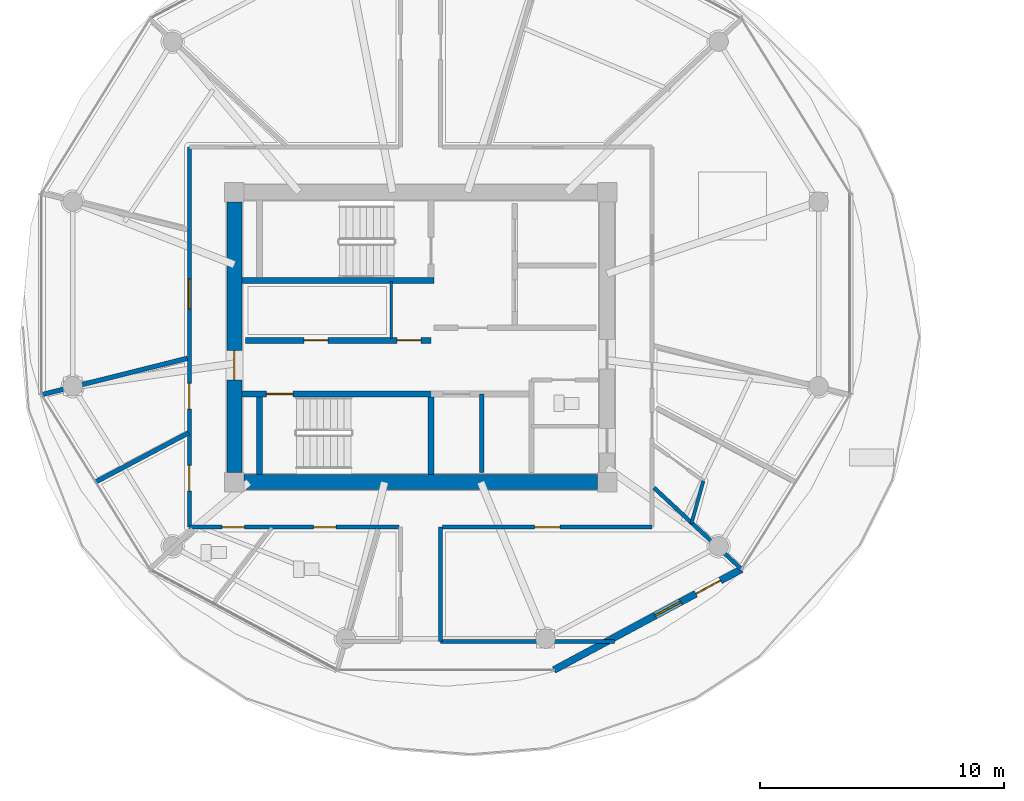
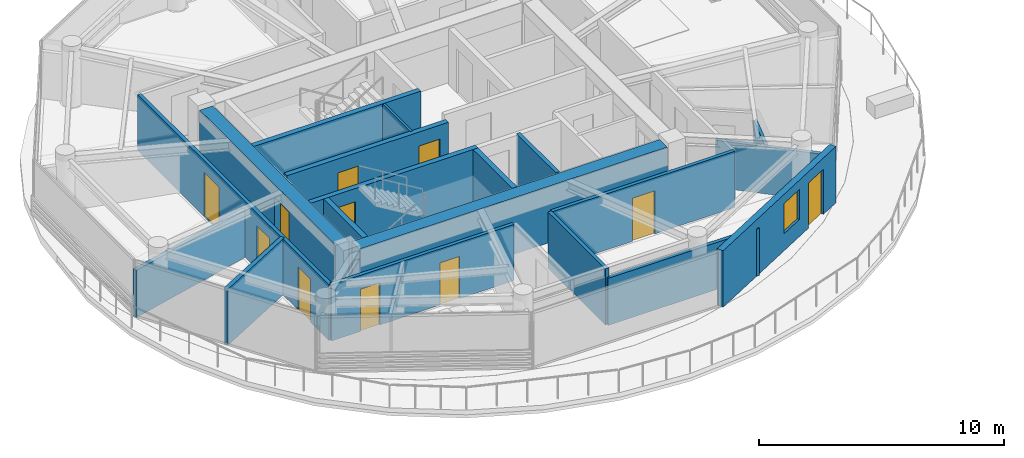
# One storey, part 13 of 28: 19 walls, 11 doors, 1 window, 12 openings.
"""IFC4 building model written with IfcOpenShell, lengths in metres."""

import ifcopenshell
import ifcopenshell.guid

model = None  # the IFC model being written
_history = None  # IfcOwnerHistory: only IFC2X3 demands one
_inside = {}  # id of a spatial element -> (the spatial element, [elements in it])
_under = {}  # id of a project, library or spatial element -> (it, [spatial elements below it])
_declared = {}  # id of a project -> (the project, [libraries it declares])
_typed = {}  # id of a type object -> (the type object, [elements of that type])
_made_of = {}  # id of a material, layer set ... -> (it, [elements and type objects made of it])


def new_model(schema):
    """Start an empty IFC model of exactly this schema.

    Asked for "IFC4X3", IfcOpenShell would pick the latest addendum, in which some entities
    have other attributes; the version numbers below select the first issue.
    IFC2X3 requires an IfcOwnerHistory on every rooted entity: one is made here for all.
    """
    global model, _history
    if schema == "IFC4X3":
        model = ifcopenshell.file(schema_version=(4, 3, 0, 0))
    else:
        model = ifcopenshell.file(schema=schema)
    _inside.clear()
    _under.clear()
    _declared.clear()
    _typed.clear()
    _made_of.clear()
    _history = None
    if model.schema == "IFC2X3":
        org = make("IfcOrganization", Name="unknown")
        user = make(
            "IfcPersonAndOrganization",
            ThePerson=make("IfcPerson", FamilyName="unknown"),
            TheOrganization=org,
        )
        app = make(
            "IfcApplication",
            ApplicationDeveloper=org,
            Version="unknown",
            ApplicationFullName="unknown",
            ApplicationIdentifier="unknown",
        )
        _history = make(
            "IfcOwnerHistory",
            OwningUser=user,
            OwningApplication=app,
            ChangeAction="ADDED",
            CreationDate=0,
        )
    return model


def make(cls, **values):
    """One entity of the class cls with the attributes given. An attribute that is None is left unset."""
    return model.create_entity(
        cls, **{name: value for name, value in values.items() if value is not None}
    )


def rooted(cls, **values):
    """An entity with a GlobalId (a new one), such as an element, a storey or a relation."""
    return make(cls, GlobalId=ifcopenshell.guid.new(), OwnerHistory=_history, **values)


def si_unit(unit_type, name, prefix=None):
    """IfcSIUnit, for example si_unit("LENGTHUNIT", "METRE", prefix="MILLI")."""
    return make("IfcSIUnit", UnitType=unit_type, Prefix=prefix, Name=name)


def assignment(units):
    """IfcUnitAssignment: the units of a project."""
    return None if units is None else make("IfcUnitAssignment", Units=units)


def point(xyz):
    """IfcCartesianPoint."""
    return None if xyz is None else make("IfcCartesianPoint", Coordinates=xyz)


def direction(xyz):
    """IfcDirection."""
    return None if xyz is None else make("IfcDirection", DirectionRatios=xyz)


def frame(location, z_axis=None, x_axis=None):
    """IfcAxis2Placement3D, a coordinate frame: its origin and axes. An axis left out is left unset."""
    return make(
        "IfcAxis2Placement3D",
        Location=point(location),
        Axis=direction(z_axis),
        RefDirection=direction(x_axis),
    )


def frame_2d(location, x_axis=None):
    """IfcAxis2Placement2D, a coordinate frame in the plane: its origin and x axis."""
    return make(
        "IfcAxis2Placement2D", Location=point(location), RefDirection=direction(x_axis)
    )


def origin():
    """The frame at (0, 0, 0) with its axes left unset."""
    return frame((0.0, 0.0, 0.0))


def place(relative_to, where):
    """IfcLocalPlacement: puts the frame where relative to a parent placement (None: the world)."""
    return make(
        "IfcLocalPlacement", PlacementRelTo=relative_to, RelativePlacement=where
    )


def context(
    kind, dimensions, precision=None, world=None, true_north=None, identifier=None
):
    """IfcGeometricRepresentationContext, for example the 3D "Model" context."""
    return make(
        "IfcGeometricRepresentationContext",
        ContextIdentifier=identifier,
        ContextType=kind,
        CoordinateSpaceDimension=dimensions,
        Precision=precision,
        WorldCoordinateSystem=world,
        TrueNorth=true_north,
    )


def subcontext(parent, identifier, kind, view, scale=None):
    """IfcGeometricRepresentationSubContext, for example "Body" below "Model"."""
    return make(
        "IfcGeometricRepresentationSubContext",
        ContextIdentifier=identifier,
        ContextType=kind,
        ParentContext=parent,
        TargetScale=scale,
        TargetView=view,
    )


def project(units=None, contexts=None):
    """IfcProject with its units and contexts."""
    return rooted(
        "IfcProject",
        Name="project",
        RepresentationContexts=contexts,
        UnitsInContext=assignment(units),
    )


def spatial(cls, under=None, at=None, **own):
    """A site, building, storey or space (cls), placed at a placement, below another one or the project."""
    s = rooted(cls, ObjectPlacement=at, **own)
    if under is not None:
        _under.setdefault(under.id(), (under, []))[1].append(s)
    return s


def profile(cls, at=None, kind="AREA", **sizes):
    """A parametric profile (cls). Its sizes go by their IFC names, for example OverallWidth=200.0."""
    return make(cls, ProfileType=kind, Position=at, **sizes)


def rectangle(**sizes):
    """IfcRectangleProfileDef."""
    return profile("IfcRectangleProfileDef", **sizes)


def extrude(swept, where, along, depth):
    """IfcExtrudedAreaSolid: the profile swept, set in the frame where, extruded along a direction by depth."""
    return make(
        "IfcExtrudedAreaSolid",
        SweptArea=swept,
        Position=where,
        ExtrudedDirection=direction(along),
        Depth=depth,
    )


def shape(context_of_items, identifier, shape_type, items):
    """IfcShapeRepresentation: the items that make up one representation, for example the "Body"."""
    return make(
        "IfcShapeRepresentation",
        ContextOfItems=context_of_items,
        RepresentationIdentifier=identifier,
        RepresentationType=shape_type,
        Items=items,
    )


def source(mapping_origin, context_of_items, identifier, shape_type, items):
    """IfcRepresentationMap: a shape defined once, which mapped items show again and again."""
    return make(
        "IfcRepresentationMap",
        MappingOrigin=mapping_origin,
        MappedRepresentation=shape(context_of_items, identifier, shape_type, items),
    )


def transform(
    local_origin,
    x_axis=None,
    y_axis=None,
    z_axis=None,
    scale=None,
    scale2=None,
    scale3=None,
    uniform=True,
):
    """IfcCartesianTransformationOperator3D, or its non-uniform kind. x_axis, y_axis, z_axis: its Axis1, 2, 3."""
    if uniform:
        return make(
            "IfcCartesianTransformationOperator3D",
            Axis1=direction(x_axis),
            Axis2=direction(y_axis),
            LocalOrigin=point(local_origin),
            Scale=scale,
            Axis3=direction(z_axis),
        )
    return make(
        "IfcCartesianTransformationOperator3DnonUniform",
        Axis1=direction(x_axis),
        Axis2=direction(y_axis),
        LocalOrigin=point(local_origin),
        Scale=scale,
        Axis3=direction(z_axis),
        Scale2=scale2,
        Scale3=scale3,
    )


def mapped(mapping_source, mapping_target):
    """IfcMappedItem: shows the shape of a source again, moved by a transform."""
    return make(
        "IfcMappedItem", MappingSource=mapping_source, MappingTarget=mapping_target
    )


def material(Name=None, Category=None):
    """IfcMaterial."""
    return make("IfcMaterial", Name=Name, Category=Category)


def layer(
    of_material, thickness, ventilated=None, Name=None, Category=None, Priority=None
):
    """IfcMaterialLayer: one layer of a wall or slab, of a material (None: an air gap)."""
    return make(
        "IfcMaterialLayer",
        Material=of_material,
        LayerThickness=thickness,
        IsVentilated=ventilated,
        Name=Name,
        Category=Category,
        Priority=Priority,
    )


def layer_set(layers, Name=None):
    """IfcMaterialLayerSet."""
    return make("IfcMaterialLayerSet", MaterialLayers=layers, LayerSetName=Name)


def made_of(thing, what):
    """Note that an element or type object is made of a material, layer set ...; save() writes the relation."""
    if what is not None:
        _made_of.setdefault(what.id(), (what, []))[1].append(thing)
    return thing


def type_object(cls, material=None, **own):
    """A type object (cls), such as IfcWallType, which elements share."""
    return made_of(rooted(cls, **own), material)


def type_shapes(of_type, sources):
    """Give a type object the sources (RepresentationMaps) that its elements show as mapped items."""
    of_type.RepresentationMaps = sources


def element(
    cls,
    number,
    at=None,
    inside=None,
    cuts=None,
    type_object=None,
    material=None,
    context=None,
    identifier="Body",
    shape_type=None,
    held_by="IfcProductDefinitionShape",
    body=None,
    shapes=None,
    **own,
):
    """One element of the class cls, such as IfcWall. Its Tag is "e" and its number.

    at: its placement. inside: the storey or other place that contains it. cuts: it is an
    opening in that element (IfcRelVoidsElement). A single representation is given by context,
    identifier, shape_type and body (its items); several are given by shapes. held_by: the class
    of the entity that holds the representations. save() writes the other relations.
    """
    e = rooted(cls, Tag="e%d" % number, ObjectPlacement=at, **own)
    if body is not None:
        shapes = [shape(context, identifier, shape_type, body)]
    if shapes is not None:
        e.Representation = make(held_by, Representations=shapes)
    if inside is not None:
        _inside.setdefault(inside.id(), (inside, []))[1].append(e)
    if cuts is not None:
        rooted(
            "IfcRelVoidsElement", RelatingBuildingElement=cuts, RelatedOpeningElement=e
        )
    if type_object is not None:
        _typed.setdefault(type_object.id(), (type_object, []))[1].append(e)
    return made_of(e, material)


def fill(opening, filler):
    """IfcRelFillsElement: the door or window that sits in an opening."""
    return rooted(
        "IfcRelFillsElement",
        RelatingOpeningElement=opening,
        RelatedBuildingElement=filler,
    )


def aggregate(whole, parts):
    """IfcRelAggregates: a whole, such as a stair, and the parts it consists of."""
    return rooted("IfcRelAggregates", RelatingObject=whole, RelatedObjects=parts)


def save(model, path):
    """Write the relations noted so far, then the file.

    IfcRelAggregates (storeys below a building ...), IfcRelContainedInSpatialStructure (elements
    in a storey), IfcRelDefinesByType, IfcRelAssociatesMaterial and IfcRelDeclares: one each for
    every whole, place, type object, material and project.
    """
    for whole, parts in _under.values():
        aggregate(whole, parts)
    for where, things in _inside.values():
        rooted(
            "IfcRelContainedInSpatialStructure",
            RelatedElements=things,
            RelatingStructure=where,
        )
    for kind, things in _typed.values():
        rooted("IfcRelDefinesByType", RelatedObjects=things, RelatingType=kind)
    for what, things in _made_of.values():
        rooted("IfcRelAssociatesMaterial", RelatedObjects=things, RelatingMaterial=what)
    for by, libraries in _declared.values():
        rooted("IfcRelDeclares", RelatingContext=by, RelatedDefinitions=libraries)
    model.write(path)


model = new_model("IFC4")

# Units and contexts
model_context = context("Model", 3, precision=1e-05, world=origin(), true_north=direction((0.0, 1.0)))
body_context = subcontext(model_context, "Body", "Model", "MODEL_VIEW")
ifc_project = project(units=[si_unit("LENGTHUNIT", "METRE"), si_unit("AREAUNIT", "SQUARE_METRE"), si_unit("VOLUMEUNIT", "CUBIC_METRE"), si_unit("PLANEANGLEUNIT", "RADIAN"), si_unit("MASSUNIT", "GRAM", prefix="KILO")], contexts=[model_context])

# Site, building, storey
site_placement = place(None, origin())
site = spatial("IfcSite", under=ifc_project, at=site_placement, CompositionType="ELEMENT")
building_placement = place(site_placement, origin())
building = spatial("IfcBuilding", under=site, at=building_placement, Name="Norrkilde Senior Care Towers", CompositionType="ELEMENT")
storey_placement = place(building_placement, frame((0.0, 0.0, 134.300048828125)))
storey = spatial("IfcBuildingStorey", under=building, at=storey_placement, Name="L41", CompositionType="ELEMENT", Elevation=134.300048828125)

# Wall
ifc_material_1 = material(Name="Concrete C50/60", Category="concrete")
ifc_layer_1 = layer(ifc_material_1, 0.6201171875)
ifc_layer_set_1 = layer_set([ifc_layer_1], Name="Concrete C50/60")
wall_type_1 = type_object("IfcWallType", Name="Core Shear Wall Z3 620", PredefinedType="SHEAR", material=ifc_layer_set_1)
shared_shape_1 = source(origin(), body_context, "Body", "SweptSolid", [
    extrude(rectangle(XDim=14.5, YDim=0.6201171875, at=frame_2d((7.25, 0.0))), origin(), (0.0, 0.0, 1.0), 2.81005859375),
])
wall_1_placement = place(storey_placement, frame((-20.75, -5.949951171875, 0.0), z_axis=(0.0, 0.0, 1.0), x_axis=(-1.0, 0.0, 0.0)))
element("IfcWall", 1, at=wall_1_placement, inside=storey, type_object=wall_type_1, Name="L41 Core W South Shear Wall", PredefinedType="SHEAR", context=body_context, shape_type="MappedRepresentation", body=[
    mapped(shared_shape_1, transform((0.0, 0.0, 0.0), x_axis=(1.0, 0.0, 0.0), y_axis=(0.0, 1.0, 0.0), z_axis=(0.0, 0.0, 1.0), scale=1.0)),
])

# Wall, opening, door
shared_shape_2 = source(origin(), body_context, "Body", "SweptSolid", [
    extrude(rectangle(XDim=11.10009765625, YDim=0.6201171875, at=frame_2d((5.550048828125, 0.0))), origin(), (0.0, 0.0, 1.0), 2.81005859375),
])
type_shapes(wall_type_1, [shared_shape_1, shared_shape_2])
wall_2_placement = place(storey_placement, frame((-35.64990234375, -5.550048828125, 0.0), z_axis=(0.0, 0.0, 1.0), x_axis=(0.0, 1.0, 0.0)))
wall_2 = element("IfcWall", 2, at=wall_2_placement, inside=storey, type_object=wall_type_1, Name="L41 Core W West Shear Wall", PredefinedType="SHEAR", context=body_context, shape_type="MappedRepresentation", body=[
    mapped(shared_shape_2, transform((0.0, 0.0, 0.0), x_axis=(1.0, 0.0, 0.0), y_axis=(0.0, 1.0, 0.0), z_axis=(0.0, 0.0, 1.0), scale=1.0)),
])
opening_1_placement = place(wall_2_placement, frame((3.800048828125, 0.0, 0.0)))
opening_1 = element("IfcOpeningElement", 3, at=opening_1_placement, cuts=wall_2, Name="Opening D-04", PredefinedType="OPENING", context=body_context, shape_type="SweptSolid", body=[
    extrude(rectangle(XDim=1.199951171875, YDim=2.14990234375, at=frame_2d((0.60009765625, 1.074951171875))), frame((0.0, 0.320068359375, 0.0), z_axis=(0.0, -1.0, 0.0), x_axis=(1.0, 0.0, 0.0)), (0.0, 0.0, 1.0), 0.64013671875),
])
ifc_material_2 = material(Name="Galvanised Painted Steel", Category="steel")
door_type_1 = type_object("IfcDoorType", Name="Firefighting Lobby Fire Door 1200x2150", OperationType="NOTDEFINED", PredefinedType="DOOR", material=ifc_material_2)
shared_shape_3 = source(origin(), body_context, "Body", "SweptSolid", [
    extrude(rectangle(XDim=1.199951171875, YDim=2.14990234375, at=frame_2d((0.60009765625, 1.074951171875))), frame((0.0, 0.02490234375, 0.0), z_axis=(0.0, -1.0, 0.0), x_axis=(1.0, 0.0, 0.0)), (0.0, 0.0, 1.0), 0.050048828125),
])
type_shapes(door_type_1, [shared_shape_3])
door_1_placement = place(opening_1_placement, frame((1.199951171875, 0.0, 0.0), z_axis=(0.0, 0.0, 1.0), x_axis=(-1.0, 0.0, 0.0)))
door_1 = element("IfcDoor", 4, at=door_1_placement, inside=storey, type_object=door_type_1, Name="L41 Core W West Portal Door", OperationType="SINGLE_SWING_LEFT", OverallHeight=2.14990234375, OverallWidth=1.199951171875, PredefinedType="DOOR", context=body_context, shape_type="MappedRepresentation", body=[
    mapped(shared_shape_3, transform((0.0, 0.0, 0.0), x_axis=(1.0, 0.0, 0.0), y_axis=(0.0, 1.0, 0.0), z_axis=(0.0, 0.0, 1.0), scale=1.0)),
])
fill(opening_1, door_1)

# Wall, openings, door, window
ifc_material_3 = material(Name="Precast concrete C45/55", Category="concrete")
ifc_layer_2 = layer(ifc_material_3, 0.2900390625)
ifc_layer_set_2 = layer_set([ifc_layer_2], Name="Precast concrete C45/55")
wall_type_2 = type_object("IfcWallType", Name="Winter Garden Facade Wall 290", PredefinedType="SOLIDWALL", material=ifc_layer_set_2)
shared_shape_4 = source(origin(), body_context, "Body", "SweptSolid", [
    extrude(rectangle(XDim=8.741943359375, YDim=0.2900390625, at=frame_2d((4.37109375, 0.0))), origin(), (0.0, 0.0, 1.0), 2.81005859375),
])
type_shapes(wall_type_2, [shared_shape_4])
wall_3_placement = place(storey_placement, frame((-14.826904296875, -9.524169921875, 0.0), z_axis=(0.0, 0.0, 1.0), x_axis=(-0.880998740657, -0.473118609823, 0.0)))
wall_3 = element("IfcWall", 5, at=wall_3_placement, inside=storey, type_object=wall_type_2, Name="L41 Drum W Balcony Access Wall 09", PredefinedType="SOLIDWALL", context=body_context, shape_type="MappedRepresentation", body=[
    mapped(shared_shape_4, transform((0.0, 0.0, 0.0), x_axis=(1.0, 0.0, 0.0), y_axis=(0.0, 1.0, 0.0), z_axis=(0.0, 0.0, 1.0), scale=1.0)),
])
opening_2_placement = place(wall_3_placement, frame((0.97998046875, 0.0, 0.0)))
opening_2 = element("IfcOpeningElement", 6, at=opening_2_placement, cuts=wall_3, Name="Opening D-09", PredefinedType="OPENING", context=body_context, shape_type="SweptSolid", body=[
    extrude(rectangle(XDim=1.14990234375, YDim=2.25, at=frame_2d((0.574951171875, 1.125))), frame((0.0, 0.155029296875, 0.0), z_axis=(0.0, -1.0, 0.0), x_axis=(1.0, 0.0, 0.0)), (0.0, 0.0, 1.0), 0.31005859375),
])
opening_3_placement = place(wall_3_placement, frame((2.830078125, 0.0, 0.85009765625)))
opening_3 = element("IfcOpeningElement", 7, at=opening_3_placement, cuts=wall_3, Name="Opening WN-07", PredefinedType="OPENING", context=body_context, shape_type="SweptSolid", body=[
    extrude(rectangle(XDim=1.199951171875, YDim=1.5, at=frame_2d((0.60009765625, 0.75))), frame((0.0, 0.155029296875, 0.0), z_axis=(0.0, -1.0, 0.0), x_axis=(1.0, 0.0, 0.0)), (0.0, 0.0, 1.0), 0.31005859375),
])
ifc_material_4 = material(Name="Anodised Aluminium", Category="aluminium")
door_type_2 = type_object("IfcDoorType", Name="Terrace and Balcony Glazed Door 1150x2250", OperationType="NOTDEFINED", PredefinedType="DOOR", material=ifc_material_4)
shared_shape_5 = source(origin(), body_context, "Body", "SweptSolid", [
    extrude(rectangle(XDim=1.14990234375, YDim=2.25, at=frame_2d((0.574951171875, 1.125))), frame((0.0, 0.02490234375, 0.0), z_axis=(0.0, -1.0, 0.0), x_axis=(1.0, 0.0, 0.0)), (0.0, 0.0, 1.0), 0.050048828125),
])
type_shapes(door_type_2, [shared_shape_5])
door_2_placement = place(opening_2_placement, origin())
door_2 = element("IfcDoor", 8, at=door_2_placement, inside=storey, type_object=door_type_2, Name="L41 Drum W Outdoor Terrace Door 09", OperationType="SINGLE_SWING_RIGHT", OverallHeight=2.25, OverallWidth=1.14990234375, PredefinedType="DOOR", context=body_context, shape_type="MappedRepresentation", body=[
    mapped(shared_shape_5, transform((0.0, 0.0, 0.0), x_axis=(1.0, 0.0, 0.0), y_axis=(0.0, 1.0, 0.0), z_axis=(0.0, 0.0, 1.0), scale=1.0)),
])
fill(opening_2, door_2)
ifc_material_5 = material(Name="Triple Low-E Insulated Glazing", Category="glass")
window_type = type_object("IfcWindowType", Name="Stairwell Smoke Vent Window 1200x1500", PartitioningType="SINGLE_PANEL", PredefinedType="WINDOW", material=ifc_material_5)
shared_shape_6 = source(origin(), body_context, "Body", "SweptSolid", [
    extrude(rectangle(XDim=1.199951171875, YDim=1.5, at=frame_2d((0.60009765625, 0.75))), frame((0.0, 0.030029296875, 0.0), z_axis=(0.0, -1.0, 0.0), x_axis=(1.0, 0.0, 0.0)), (0.0, 0.0, 1.0), 0.06005859375),
])
type_shapes(window_type, [shared_shape_6])
window_placement = place(opening_3_placement, origin())
window = element("IfcWindow", 9, at=window_placement, inside=storey, type_object=window_type, Name="L41 Drum W Winter Garden Window 09", OverallHeight=1.5, OverallWidth=1.199951171875, PartitioningType="SINGLE_PANEL", PredefinedType="WINDOW", context=body_context, shape_type="MappedRepresentation", body=[
    mapped(shared_shape_6, transform((0.0, 0.0, 0.0), x_axis=(1.0, 0.0, 0.0), y_axis=(0.0, 1.0, 0.0), z_axis=(0.0, 0.0, 1.0), scale=1.0)),
])
fill(opening_3, window)

# Wall
ifc_material_6 = material(Name="Concrete C45/55", Category="concrete")
ifc_layer_3 = layer(ifc_material_6, 0.239990234375)
ifc_layer_set_3 = layer_set([ifc_layer_3], Name="Concrete C45/55")
wall_type_3 = type_object("IfcWallType", Name="Shaft and Stair Enclosure Wall 240", PredefinedType="PARTITIONING", material=ifc_layer_set_3)
shared_shape_7 = source(origin(), body_context, "Body", "SweptSolid", [
    extrude(rectangle(XDim=7.880126953125, YDim=0.239990234375, at=frame_2d((3.93994140625, 0.0))), origin(), (0.0, 0.0, 1.0), 2.81005859375),
])
wall_4_placement = place(storey_placement, frame((-35.340087890625, 2.330078125, 0.0), z_axis=(0.0, 0.0, 1.0), x_axis=(1.0, 0.0, 0.0)))
element("IfcWall", 10, at=wall_4_placement, inside=storey, type_object=wall_type_3, Name="WL-INT-L41-W-ST1S", PredefinedType="PARTITIONING", context=body_context, shape_type="MappedRepresentation", body=[
    mapped(shared_shape_7, transform((0.0, 0.0, 0.0), x_axis=(1.0, 0.0, 0.0), y_axis=(0.0, 1.0, 0.0), z_axis=(0.0, 0.0, 1.0), scale=1.0)),
])

# Wall, opening, door
wall_5_placement = place(storey_placement, frame((-35.340087890625, -2.330078125, 0.0), z_axis=(0.0, 0.0, 1.0), x_axis=(1.0, 0.0, 0.0)))
wall_5 = element("IfcWall", 11, at=wall_5_placement, inside=storey, type_object=wall_type_3, Name="WL-INT-L41-W-ST2N", PredefinedType="PARTITIONING", context=body_context, shape_type="MappedRepresentation", body=[
    mapped(shared_shape_7, transform((0.0, 0.0, 0.0), x_axis=(1.0, 0.0, 0.0), y_axis=(0.0, 1.0, 0.0), z_axis=(0.0, 0.0, 1.0), scale=1.0)),
])
opening_4_placement = place(wall_5_placement, frame((1.0, 0.0, 0.0)))
opening_4 = element("IfcOpeningElement", 12, at=opening_4_placement, cuts=wall_5, Name="Opening D-03", PredefinedType="OPENING", context=body_context, shape_type="SweptSolid", body=[
    extrude(rectangle(XDim=1.10009765625, YDim=2.14990234375, at=frame_2d((0.550048828125, 1.074951171875))), frame((0.0, 0.1298828125, 0.0), z_axis=(0.0, -1.0, 0.0), x_axis=(1.0, 0.0, 0.0)), (0.0, 0.0, 1.0), 0.260009765625),
])
door_type_3 = type_object("IfcDoorType", Name="Stairwell Protected Fire Door 1100x2150", OperationType="NOTDEFINED", PredefinedType="DOOR", material=ifc_material_2)
shared_shape_8 = source(origin(), body_context, "Body", "SweptSolid", [
    extrude(rectangle(XDim=1.10009765625, YDim=2.14990234375, at=frame_2d((0.550048828125, 1.074951171875))), frame((0.0, 0.02490234375, 0.0), z_axis=(0.0, -1.0, 0.0), x_axis=(1.0, 0.0, 0.0)), (0.0, 0.0, 1.0), 0.050048828125),
])
type_shapes(door_type_3, [shared_shape_8])
door_3_placement = place(opening_4_placement, frame((1.10009765625, 0.0, 0.0), z_axis=(0.0, 0.0, 1.0), x_axis=(-1.0, 0.0, 0.0)))
door_3 = element("IfcDoor", 13, at=door_3_placement, inside=storey, type_object=door_type_3, Name="L41 Stair W2 Fire Door", OperationType="SINGLE_SWING_RIGHT", OverallHeight=2.14990234375, OverallWidth=1.10009765625, PredefinedType="DOOR", context=body_context, shape_type="MappedRepresentation", body=[
    mapped(shared_shape_8, transform((0.0, 0.0, 0.0), x_axis=(1.0, 0.0, 0.0), y_axis=(0.0, 1.0, 0.0), z_axis=(0.0, 0.0, 1.0), scale=1.0)),
])
fill(opening_4, door_3)

# Walls
shared_shape_9 = source(origin(), body_context, "Body", "SweptSolid", [
    extrude(rectangle(XDim=3.18994140625, YDim=0.239990234375, at=frame_2d((1.594970703125, 0.0))), origin(), (0.0, 0.0, 1.0), 2.81005859375),
])
type_shapes(wall_type_3, [shared_shape_7, shared_shape_9])
for number, where, z_axis, x_axis, name in (
    (14, (-34.6201171875, -5.639892578125, 0.0), (0.0, 0.0, 1.0), (0.0, 1.0, 0.0), "WL-INT-L41-W-ST2W"),
    (15, (-27.580078125, -5.639892578125, 0.0), (0.0, 0.0, 1.0), (0.0, 1.0, 0.0), "WL-INT-L41-W-ST2E"),
):
    element("IfcWall", number, at=place(storey_placement, frame(where, z_axis=z_axis, x_axis=x_axis)), inside=storey, type_object=wall_type_3, Name=name, PredefinedType="PARTITIONING", context=body_context, shape_type="MappedRepresentation", body=[
        mapped(shared_shape_9, transform((0.0, 0.0, 0.0), x_axis=(1.0, 0.0, 0.0), y_axis=(0.0, 1.0, 0.0), z_axis=(0.0, 0.0, 1.0), scale=1.0)),
    ])

# Wall, openings, doors
ifc_layer_4 = layer(ifc_material_6, 0.239990234375)
ifc_layer_set_4 = layer_set([ifc_layer_4], Name="Concrete C45/55")
wall_type_4 = type_object("IfcWallType", Name="Lift and Plant Rated Enclosure Partition 240", PredefinedType="PARTITIONING", material=ifc_layer_set_4)
shared_shape_10 = source(origin(), body_context, "Body", "SweptSolid", [
    extrude(rectangle(XDim=7.619873046875, YDim=0.239990234375, at=frame_2d((3.81005859375, 0.0))), origin(), (0.0, 0.0, 1.0), 2.794921875),
])
type_shapes(wall_type_4, [shared_shape_10])
wall_6_placement = place(storey_placement, frame((-35.199951171875, -0.1298828125, 0.0), z_axis=(0.0, 0.0, 1.0), x_axis=(1.0, 0.0, 0.0)))
wall_6 = element("IfcWall", 16, at=wall_6_placement, inside=storey, type_object=wall_type_4, Name="WL-INT-L41-W-PKAS", PredefinedType="PARTITIONING", context=body_context, shape_type="MappedRepresentation", body=[
    mapped(shared_shape_10, transform((0.0, 0.0, 0.0), x_axis=(1.0, 0.0, 0.0), y_axis=(0.0, 1.0, 0.0), z_axis=(0.0, 0.0, 1.0), scale=1.0)),
])
opening_5_placement = place(wall_6_placement, frame((6.219970703125, 0.0, 0.0)))
opening_5 = element("IfcOpeningElement", 17, at=opening_5_placement, cuts=wall_6, Name="Opening D-10", PredefinedType="OPENING", context=body_context, shape_type="SweptSolid", body=[
    extrude(rectangle(XDim=1.0, YDim=2.10009765625, at=frame_2d((0.5, 1.050048828125))), frame((0.0, 0.1298828125, 0.0), z_axis=(0.0, -1.0, 0.0), x_axis=(1.0, 0.0, 0.0)), (0.0, 0.0, 1.0), 0.260009765625),
])
opening_6_placement = place(wall_6_placement, frame((2.39990234375, 0.0, 0.0)))
opening_6 = element("IfcOpeningElement", 18, at=opening_6_placement, cuts=wall_6, Name="Opening D-10", PredefinedType="OPENING", context=body_context, shape_type="SweptSolid", body=[
    extrude(rectangle(XDim=1.0, YDim=2.10009765625, at=frame_2d((0.5, 1.050048828125))), frame((0.0, 0.1298828125, 0.0), z_axis=(0.0, -1.0, 0.0), x_axis=(1.0, 0.0, 0.0)), (0.0, 0.0, 1.0), 0.260009765625),
])
door_type_4 = type_object("IfcDoorType", Name="Plant and Riser Rated Door 1000x2100", OperationType="NOTDEFINED", PredefinedType="DOOR", material=ifc_material_2)
shared_shape_11 = source(origin(), body_context, "Body", "SweptSolid", [
    extrude(rectangle(XDim=1.0, YDim=2.10009765625, at=frame_2d((0.5, 1.050048828125))), frame((0.0, 0.02490234375, 0.0), z_axis=(0.0, -1.0, 0.0), x_axis=(1.0, 0.0, 0.0)), (0.0, 0.0, 1.0), 0.050048828125),
])
type_shapes(door_type_4, [shared_shape_11])
door_4_placement = place(opening_5_placement, frame((1.0, 0.0, 0.0), z_axis=(0.0, 0.0, 1.0), x_axis=(-1.0, 0.0, 0.0)))
door_4 = element("IfcDoor", 19, at=door_4_placement, inside=storey, type_object=door_type_4, Name="L41 Electrical Riser W Door", OperationType="SINGLE_SWING_LEFT", OverallHeight=2.10009765625, OverallWidth=1.0, PredefinedType="DOOR", context=body_context, shape_type="MappedRepresentation", body=[
    mapped(shared_shape_11, transform((0.0, 0.0, 0.0), x_axis=(1.0, 0.0, 0.0), y_axis=(0.0, 1.0, 0.0), z_axis=(0.0, 0.0, 1.0), scale=1.0)),
])
fill(opening_5, door_4)
door_5_placement = place(opening_6_placement, frame((1.0, 0.0, 0.0), z_axis=(0.0, 0.0, 1.0), x_axis=(-1.0, 0.0, 0.0)))
door_5 = element("IfcDoor", 20, at=door_5_placement, inside=storey, type_object=door_type_4, Name="L41 Clean Supply Store W Door", OperationType="SINGLE_SWING_LEFT", OverallHeight=2.10009765625, OverallWidth=1.0, PredefinedType="DOOR", context=body_context, shape_type="MappedRepresentation", body=[
    mapped(shared_shape_11, transform((0.0, 0.0, 0.0), x_axis=(1.0, 0.0, 0.0), y_axis=(0.0, 1.0, 0.0), z_axis=(0.0, 0.0, 1.0), scale=1.0)),
])
fill(opening_6, door_5)

# Walls
ifc_material_7 = material(Name="Gypsum Acoustic Board")
ifc_layer_5 = layer(ifc_material_7, 0.114990234375)
ifc_layer_set_5 = layer_set([ifc_layer_5], Name="Gypsum Acoustic Board")
wall_type_5 = type_object("IfcWallType", Name="Internal Room Partition 115", PredefinedType="PARTITIONING", material=ifc_layer_set_5)
shared_shape_12 = source(origin(), body_context, "Body", "SweptSolid", [
    extrude(rectangle(XDim=2.330078125, YDim=0.114990234375, at=frame_2d((1.1650390625, 0.0))), origin(), (0.0, 0.0, 1.0), 2.794921875),
])
type_shapes(wall_type_5, [shared_shape_12])
wall_7_placement = place(storey_placement, frame((-29.2099609375, -0.050048828125, 0.0), z_axis=(0.0, 0.0, 1.0), x_axis=(0.0, 1.0, 0.0)))
element("IfcWall", 21, at=wall_7_placement, inside=storey, type_object=wall_type_5, Name="WL-INT-L41-W-RISW", PredefinedType="PARTITIONING", context=body_context, shape_type="MappedRepresentation", body=[
    mapped(shared_shape_12, transform((0.0, 0.0, 0.0), x_axis=(1.0, 0.0, 0.0), y_axis=(0.0, 1.0, 0.0), z_axis=(0.0, 0.0, 1.0), scale=1.0)),
])
ifc_layer_6 = layer(ifc_material_6, 0.179931640625)
ifc_layer_set_6 = layer_set([ifc_layer_6], Name="Concrete C45/55")
wall_type_6 = type_object("IfcWallType", Name="Hoistway Division Rated Partition 180", PredefinedType="PARTITIONING", material=ifc_layer_set_6)
shared_shape_13 = source(origin(), body_context, "Body", "SweptSolid", [
    extrude(rectangle(XDim=3.219970703125, YDim=0.179931640625, at=frame_2d((1.60986328125, 0.0))), origin(), (0.0, 0.0, 1.0), 2.794921875),
])
type_shapes(wall_type_6, [shared_shape_13])
wall_8_placement = place(storey_placement, frame((-25.5, -5.550048828125, 0.0), z_axis=(0.0, 0.0, 1.0), x_axis=(0.0, 1.0, 0.0)))
element("IfcWall", 22, at=wall_8_placement, inside=storey, type_object=wall_type_6, Name="WL-INT-L41-W-PL34", PredefinedType="PARTITIONING", context=body_context, shape_type="MappedRepresentation", body=[
    mapped(shared_shape_13, transform((0.0, 0.0, 0.0), x_axis=(1.0, 0.0, 0.0), y_axis=(0.0, 1.0, 0.0), z_axis=(0.0, 0.0, 1.0), scale=1.0)),
])

# Wall, opening, door
ifc_layer_7 = layer(ifc_material_7, 0.1650390625)
ifc_layer_set_7 = layer_set([ifc_layer_7], Name="Gypsum Acoustic Board")
wall_type_7 = type_object("IfcWallType", Name="Corridor Rated Partition 165", PredefinedType="PARTITIONING", material=ifc_layer_set_7)
shared_shape_14 = source(origin(), body_context, "Body", "SweptSolid", [
    extrude(rectangle(XDim=8.60009765625, YDim=0.1650390625, at=frame_2d((4.300048828125, 0.0))), origin(), (0.0, 0.0, 1.0), 2.794921875),
])
wall_9_placement = place(storey_placement, frame((-18.5, -7.800048828125, 0.0), z_axis=(0.0, 0.0, 1.0), x_axis=(-1.0, 0.0, 0.0)))
wall_9 = element("IfcWall", 23, at=wall_9_placement, inside=storey, type_object=wall_type_7, Name="WL-INT-L41-W-CRW-S-0", PredefinedType="PARTITIONING", context=body_context, shape_type="MappedRepresentation", body=[
    mapped(shared_shape_14, transform((0.0, 0.0, 0.0), x_axis=(1.0, 0.0, 0.0), y_axis=(0.0, 1.0, 0.0), z_axis=(0.0, 0.0, 1.0), scale=1.0)),
])
opening_7_placement = place(wall_9_placement, frame((3.77490234375, 0.0, 0.0)))
opening_7 = element("IfcOpeningElement", 24, at=opening_7_placement, cuts=wall_9, Name="Opening D-06", PredefinedType="OPENING", context=body_context, shape_type="SweptSolid", body=[
    extrude(rectangle(XDim=1.050048828125, YDim=2.14990234375, at=frame_2d((0.52490234375, 1.074951171875))), frame((0.0, 0.092529296875, 0.0), z_axis=(0.0, -1.0, 0.0), x_axis=(1.0, 0.0, 0.0)), (0.0, 0.0, 1.0), 0.18505859375),
])
ifc_material_8 = material(Name="Nordic Ash Timber", Category="wood")
door_type_5 = type_object("IfcDoorType", Name="Apartment Entrance Fire Door 1050x2150", OperationType="NOTDEFINED", PredefinedType="DOOR", material=ifc_material_8)
shared_shape_15 = source(origin(), body_context, "Body", "SweptSolid", [
    extrude(rectangle(XDim=1.050048828125, YDim=2.14990234375, at=frame_2d((0.52490234375, 1.074951171875))), frame((0.0, 0.02490234375, 0.0), z_axis=(0.0, -1.0, 0.0), x_axis=(1.0, 0.0, 0.0)), (0.0, 0.0, 1.0), 0.050048828125),
])
type_shapes(door_type_5, [shared_shape_15])
door_6_placement = place(opening_7_placement, frame((1.050048828125, 0.0, 0.0), z_axis=(0.0, 0.0, 1.0), x_axis=(-1.0, 0.0, 0.0)))
door_6 = element("IfcDoor", 25, at=door_6_placement, inside=storey, type_object=door_type_5, Name="L41 Reading Lounge SEL Door", OperationType="SINGLE_SWING_RIGHT", OverallHeight=2.14990234375, OverallWidth=1.050048828125, PredefinedType="DOOR", context=body_context, shape_type="MappedRepresentation", body=[
    mapped(shared_shape_15, transform((0.0, 0.0, 0.0), x_axis=(1.0, 0.0, 0.0), y_axis=(0.0, 1.0, 0.0), z_axis=(0.0, 0.0, 1.0), scale=1.0)),
])
fill(opening_7, door_6)

# Wall, openings, doors
wall_10_placement = place(storey_placement, frame((-28.89990234375, -7.800048828125, 0.0), z_axis=(0.0, 0.0, 1.0), x_axis=(-1.0, 0.0, 0.0)))
wall_10 = element("IfcWall", 26, at=wall_10_placement, inside=storey, type_object=wall_type_7, Name="WL-INT-L41-W-CRW-S-1", PredefinedType="PARTITIONING", context=body_context, shape_type="MappedRepresentation", body=[
    mapped(shared_shape_14, transform((0.0, 0.0, 0.0), x_axis=(1.0, 0.0, 0.0), y_axis=(0.0, 1.0, 0.0), z_axis=(0.0, 0.0, 1.0), scale=1.0)),
])
opening_8_placement = place(wall_10_placement, frame((6.330322265625, 0.0, 0.0)))
opening_8 = element("IfcOpeningElement", 27, at=opening_8_placement, cuts=wall_10, Name="Opening D-08", PredefinedType="OPENING", context=body_context, shape_type="SweptSolid", body=[
    extrude(rectangle(XDim=0.919921875, YDim=2.10009765625, at=frame_2d((0.4599609375, 1.050048828125))), frame((0.0, 0.092529296875, 0.0), z_axis=(0.0, -1.0, 0.0), x_axis=(1.0, 0.0, 0.0)), (0.0, 0.0, 1.0), 0.18505859375),
])
opening_9_placement = place(wall_10_placement, frame((2.57470703125, 0.0, 0.0)))
opening_9 = element("IfcOpeningElement", 28, at=opening_9_placement, cuts=wall_10, Name="Opening D-08", PredefinedType="OPENING", context=body_context, shape_type="SweptSolid", body=[
    extrude(rectangle(XDim=0.919921875, YDim=2.10009765625, at=frame_2d((0.4599609375, 1.050048828125))), frame((0.0, 0.092529296875, 0.0), z_axis=(0.0, -1.0, 0.0), x_axis=(1.0, 0.0, 0.0)), (0.0, 0.0, 1.0), 0.18505859375),
])
door_type_6 = type_object("IfcDoorType", Name="Accessible Wet Room Door 920x2100", OperationType="NOTDEFINED", PredefinedType="DOOR", material=ifc_material_8)
shared_shape_16 = source(origin(), body_context, "Body", "SweptSolid", [
    extrude(rectangle(XDim=0.919921875, YDim=2.10009765625, at=frame_2d((0.4599609375, 1.050048828125))), frame((0.0, 0.02490234375, 0.0), z_axis=(0.0, -1.0, 0.0), x_axis=(1.0, 0.0, 0.0)), (0.0, 0.0, 1.0), 0.050048828125),
])
type_shapes(door_type_6, [shared_shape_16])
door_7_placement = place(opening_8_placement, frame((0.919921875, 0.0, 0.0), z_axis=(0.0, 0.0, 1.0), x_axis=(-1.0, 0.0, 0.0)))
door_7 = element("IfcDoor", 29, at=door_7_placement, inside=storey, type_object=door_type_6, Name="L41 Accessible Restroom Door", OperationType="SINGLE_SWING_RIGHT", OverallHeight=2.10009765625, OverallWidth=0.919921875, PredefinedType="DOOR", context=body_context, shape_type="MappedRepresentation", body=[
    mapped(shared_shape_16, transform((0.0, 0.0, 0.0), x_axis=(1.0, 0.0, 0.0), y_axis=(0.0, 1.0, 0.0), z_axis=(0.0, 0.0, 1.0), scale=1.0)),
])
fill(opening_8, door_7)
door_8_placement = place(opening_9_placement, frame((0.919921875, 0.0, 0.0), z_axis=(0.0, 0.0, 1.0), x_axis=(-1.0, 0.0, 0.0)))
door_8 = element("IfcDoor", 30, at=door_8_placement, inside=storey, type_object=door_type_6, Name="L41 Public Restroom Door", OperationType="SINGLE_SWING_LEFT", OverallHeight=2.10009765625, OverallWidth=0.919921875, PredefinedType="DOOR", context=body_context, shape_type="MappedRepresentation", body=[
    mapped(shared_shape_16, transform((0.0, 0.0, 0.0), x_axis=(1.0, 0.0, 0.0), y_axis=(0.0, 1.0, 0.0), z_axis=(0.0, 0.0, 1.0), scale=1.0)),
])
fill(opening_9, door_8)

shared_shape_17 = source(origin(), body_context, "Body", "SweptSolid", [
    extrude(rectangle(XDim=15.60009765625, YDim=0.1650390625, at=frame_2d((7.800048828125, 0.0))), origin(), (0.0, 0.0, 1.0), 2.794921875),
])
wall_11_placement = place(storey_placement, frame((-37.5, -7.800048828125, 0.0), z_axis=(0.0, 0.0, 1.0), x_axis=(0.0, 1.0, 0.0)))
wall_11 = element("IfcWall", 31, at=wall_11_placement, inside=storey, type_object=wall_type_7, Name="WL-INT-L41-W-CRW-W-0", PredefinedType="PARTITIONING", context=body_context, shape_type="MappedRepresentation", body=[
    mapped(shared_shape_17, transform((0.0, 0.0, 0.0), x_axis=(1.0, 0.0, 0.0), y_axis=(0.0, 1.0, 0.0), z_axis=(0.0, 0.0, 1.0), scale=1.0)),
])
opening_10_placement = place(wall_11_placement, frame((8.950439453125, 0.0, 0.0)))
opening_10 = element("IfcOpeningElement", 32, at=opening_10_placement, cuts=wall_11, Name="Opening D-05", PredefinedType="OPENING", context=body_context, shape_type="SweptSolid", body=[
    extrude(rectangle(XDim=1.25, YDim=2.199951171875, at=frame_2d((0.625, 1.10009765625))), frame((0.0, 0.092529296875, 0.0), z_axis=(0.0, -1.0, 0.0), x_axis=(1.0, 0.0, 0.0)), (0.0, 0.0, 1.0), 0.18505859375),
])
opening_11_placement = place(wall_11_placement, frame((4.851318359375, 0.0, 0.0)))
opening_11 = element("IfcOpeningElement", 33, at=opening_11_placement, cuts=wall_11, Name="Opening D-06", PredefinedType="OPENING", context=body_context, shape_type="SweptSolid", body=[
    extrude(rectangle(XDim=1.050048828125, YDim=2.14990234375, at=frame_2d((0.52490234375, 1.074951171875))), frame((0.0, 0.092529296875, 0.0), z_axis=(0.0, -1.0, 0.0), x_axis=(1.0, 0.0, 0.0)), (0.0, 0.0, 1.0), 0.18505859375),
])
opening_12_placement = place(wall_11_placement, frame((1.487548828125, 0.0, 0.0)))
opening_12 = element("IfcOpeningElement", 34, at=opening_12_placement, cuts=wall_11, Name="Opening D-06", PredefinedType="OPENING", context=body_context, shape_type="SweptSolid", body=[
    extrude(rectangle(XDim=1.050048828125, YDim=2.14990234375, at=frame_2d((0.52490234375, 1.074951171875))), frame((0.0, 0.092529296875, 0.0), z_axis=(0.0, -1.0, 0.0), x_axis=(1.0, 0.0, 0.0)), (0.0, 0.0, 1.0), 0.18505859375),
])
door_type_7 = type_object("IfcDoorType", Name="Care Bedroom Bariatric Door 1250x2200", OperationType="NOTDEFINED", PredefinedType="DOOR", material=ifc_material_8)
shared_shape_18 = source(origin(), body_context, "Body", "SweptSolid", [
    extrude(rectangle(XDim=1.25, YDim=2.199951171875, at=frame_2d((0.625, 1.10009765625))), frame((0.0, 0.02490234375, 0.0), z_axis=(0.0, -1.0, 0.0), x_axis=(1.0, 0.0, 0.0)), (0.0, 0.0, 1.0), 0.050048828125),
])
type_shapes(door_type_7, [shared_shape_18])
door_9_placement = place(opening_10_placement, frame((1.25, 0.0, 0.0), z_axis=(0.0, 0.0, 1.0), x_axis=(-1.0, 0.0, 0.0)))
door_9 = element("IfcDoor", 35, at=door_9_placement, inside=storey, type_object=door_type_7, Name="L41 Senior Wellness Library Lounge Door", OperationType="SINGLE_SWING_RIGHT", OverallHeight=2.199951171875, OverallWidth=1.25, PredefinedType="DOOR", context=body_context, shape_type="MappedRepresentation", body=[
    mapped(shared_shape_18, transform((0.0, 0.0, 0.0), x_axis=(1.0, 0.0, 0.0), y_axis=(0.0, 1.0, 0.0), z_axis=(0.0, 0.0, 1.0), scale=1.0)),
])
fill(opening_10, door_9)
door_10_placement = place(opening_11_placement, frame((1.050048828125, 0.0, 0.0), z_axis=(0.0, 0.0, 1.0), x_axis=(-1.0, 0.0, 0.0)))
door_10 = element("IfcDoor", 36, at=door_10_placement, inside=storey, type_object=door_type_5, Name="L41 Physiotherapy Clinic 6A Door", OperationType="SINGLE_SWING_LEFT", OverallHeight=2.14990234375, OverallWidth=1.050048828125, PredefinedType="DOOR", context=body_context, shape_type="MappedRepresentation", body=[
    mapped(shared_shape_15, transform((0.0, 0.0, 0.0), x_axis=(1.0, 0.0, 0.0), y_axis=(0.0, 1.0, 0.0), z_axis=(0.0, 0.0, 1.0), scale=1.0)),
])
fill(opening_11, door_10)
door_11_placement = place(opening_12_placement, frame((1.050048828125, 0.0, 0.0), z_axis=(0.0, 0.0, 1.0), x_axis=(-1.0, 0.0, 0.0)))
door_11 = element("IfcDoor", 37, at=door_11_placement, inside=storey, type_object=door_type_5, Name="L41 Assessment Clinic 6B Door", OperationType="SINGLE_SWING_RIGHT", OverallHeight=2.14990234375, OverallWidth=1.050048828125, PredefinedType="DOOR", context=body_context, shape_type="MappedRepresentation", body=[
    mapped(shared_shape_15, transform((0.0, 0.0, 0.0), x_axis=(1.0, 0.0, 0.0), y_axis=(0.0, 1.0, 0.0), z_axis=(0.0, 0.0, 1.0), scale=1.0)),
])
fill(opening_12, door_11)

# Walls
shared_shape_19 = source(origin(), body_context, "Body", "SweptSolid", [
    extrude(rectangle(XDim=4.926513671875, YDim=0.1650390625, at=frame_2d((2.46337890625, 0.0))), origin(), (0.0, 0.0, 1.0), 2.344970703125),
])
wall_12_placement = place(storey_placement, frame((-18.419921875, -6.182861328125, 0.0), z_axis=(0.0, 0.0, 1.0), x_axis=(0.732191335987, -0.681098999783, 0.0)))
element("IfcWall", 38, at=wall_12_placement, inside=storey, type_object=wall_type_7, Name="WL-INT-L41-W-DEM-10-0", PredefinedType="PARTITIONING", context=body_context, shape_type="MappedRepresentation", body=[
    mapped(shared_shape_19, transform((0.0, 0.0, 0.0), x_axis=(1.0, 0.0, 0.0), y_axis=(0.0, 1.0, 0.0), z_axis=(0.0, 0.0, 1.0), scale=1.0)),
])
shared_shape_20 = source(origin(), body_context, "Body", "SweptSolid", [
    extrude(rectangle(XDim=4.6845703125, YDim=0.1650390625, at=frame_2d((2.34228515625, 0.0))), origin(), (0.0, 0.0, 1.0), 2.794921875),
])
wall_13_placement = place(storey_placement, frame((-27.179931640625, -12.484619140625, 0.0), z_axis=(0.0, 0.0, 1.0), x_axis=(0.0, 1.0, 0.0)))
element("IfcWall", 39, at=wall_13_placement, inside=storey, type_object=wall_type_7, Name="WL-INT-L41-W-PKW-SEL", PredefinedType="PARTITIONING", context=body_context, shape_type="MappedRepresentation", body=[
    mapped(shared_shape_20, transform((0.0, 0.0, 0.0), x_axis=(1.0, 0.0, 0.0), y_axis=(0.0, 1.0, 0.0), z_axis=(0.0, 0.0, 1.0), scale=1.0)),
])
shared_shape_21 = source(origin(), body_context, "Body", "SweptSolid", [
    extrude(rectangle(XDim=7.138916015625, YDim=0.1650390625, at=frame_2d((3.5693359375, 0.0))), origin(), (0.0, 0.0, 1.0), 2.344970703125),
])
type_shapes(wall_type_7, [shared_shape_14, shared_shape_17, shared_shape_19, shared_shape_20, shared_shape_21])
wall_14_placement = place(storey_placement, frame((-27.179931640625, -12.484619140625, 0.0), z_axis=(0.0, 0.0, 1.0), x_axis=(1.0, 0.0, 0.0)))
element("IfcWall", 40, at=wall_14_placement, inside=storey, type_object=wall_type_7, Name="WL-INT-L41-W-PKH-SEL-0", PredefinedType="PARTITIONING", context=body_context, shape_type="MappedRepresentation", body=[
    mapped(shared_shape_21, transform((0.0, 0.0, 0.0), x_axis=(1.0, 0.0, 0.0), y_axis=(0.0, 1.0, 0.0), z_axis=(0.0, 0.0, 1.0), scale=1.0)),
])
ifc_layer_8 = layer(ifc_material_7, 0.18994140625)
ifc_layer_set_8 = layer_set([ifc_layer_8], Name="Gypsum Acoustic Board")
wall_type_8 = type_object("IfcWallType", Name="Unit Demising Acoustic Wall 190", PredefinedType="PARTITIONING", material=ifc_layer_set_8)
shared_shape_22 = source(origin(), body_context, "Body", "SweptSolid", [
    extrude(rectangle(XDim=6.192626953125, YDim=0.18994140625, at=frame_2d((3.09619140625, 0.0))), origin(), (0.0, 0.0, 1.0), 2.344970703125),
])
wall_15_placement = place(storey_placement, frame((-37.580078125, -0.867919921875, 0.0), z_axis=(0.0, 0.0, 1.0), x_axis=(-0.970309243466, -0.241867674657, 0.0)))
element("IfcWall", 41, at=wall_15_placement, inside=storey, type_object=wall_type_8, Name="WL-INT-L41-W-DEM-06-0", PredefinedType="PARTITIONING", context=body_context, shape_type="MappedRepresentation", body=[
    mapped(shared_shape_22, transform((0.0, 0.0, 0.0), x_axis=(1.0, 0.0, 0.0), y_axis=(0.0, 1.0, 0.0), z_axis=(0.0, 0.0, 1.0), scale=1.0)),
])
shared_shape_23 = source(origin(), body_context, "Body", "SweptSolid", [
    extrude(rectangle(XDim=4.33544921875, YDim=0.18994140625, at=frame_2d((2.167724609375, 0.0))), origin(), (0.0, 0.0, 1.0), 2.794921875),
])
type_shapes(wall_type_8, [shared_shape_22, shared_shape_23])
wall_16_placement = place(storey_placement, frame((-37.530029296875, -3.92626953125, 0.0), z_axis=(0.0, 0.0, 1.0), x_axis=(-0.884108234352, -0.4672821738, 0.0)))
element("IfcWall", 42, at=wall_16_placement, inside=storey, type_object=wall_type_8, Name="WL-INT-L41-W-MID-06", PredefinedType="PARTITIONING", context=body_context, shape_type="MappedRepresentation", body=[
    mapped(shared_shape_23, transform((0.0, 0.0, 0.0), x_axis=(1.0, 0.0, 0.0), y_axis=(0.0, 1.0, 0.0), z_axis=(0.0, 0.0, 1.0), scale=1.0)),
])
ifc_layer_9 = layer(ifc_material_7, 0.139892578125)
ifc_layer_set_9 = layer_set([ifc_layer_9], Name="Gypsum Acoustic Board")
wall_type_9 = type_object("IfcWallType", Name="En-suite Wet Room Wall 140", PredefinedType="PARTITIONING", material=ifc_layer_set_9)
shared_shape_24 = source(origin(), body_context, "Body", "SweptSolid", [
    extrude(rectangle(XDim=1.825927734375, YDim=0.139892578125, at=frame_2d((0.9130859375, 0.0))), origin(), (0.0, 0.0, 1.0), 2.43505859375),
])
type_shapes(wall_type_9, [shared_shape_24])
wall_17_placement = place(storey_placement, frame((-16.3955078125, -5.902587890625, 0.0), z_axis=(0.0, 0.0, 1.0), x_axis=(-0.270745576918, -0.962650940154, 0.0)))
element("IfcWall", 43, at=wall_17_placement, inside=storey, type_object=wall_type_9, Name="WL-INT-L41-W-EF-10A", PredefinedType="PARTITIONING", context=body_context, shape_type="MappedRepresentation", body=[
    mapped(shared_shape_24, transform((0.0, 0.0, 0.0), x_axis=(1.0, 0.0, 0.0), y_axis=(0.0, 1.0, 0.0), z_axis=(0.0, 0.0, 1.0), scale=1.0)),
])

save(model, "model.ifc")
